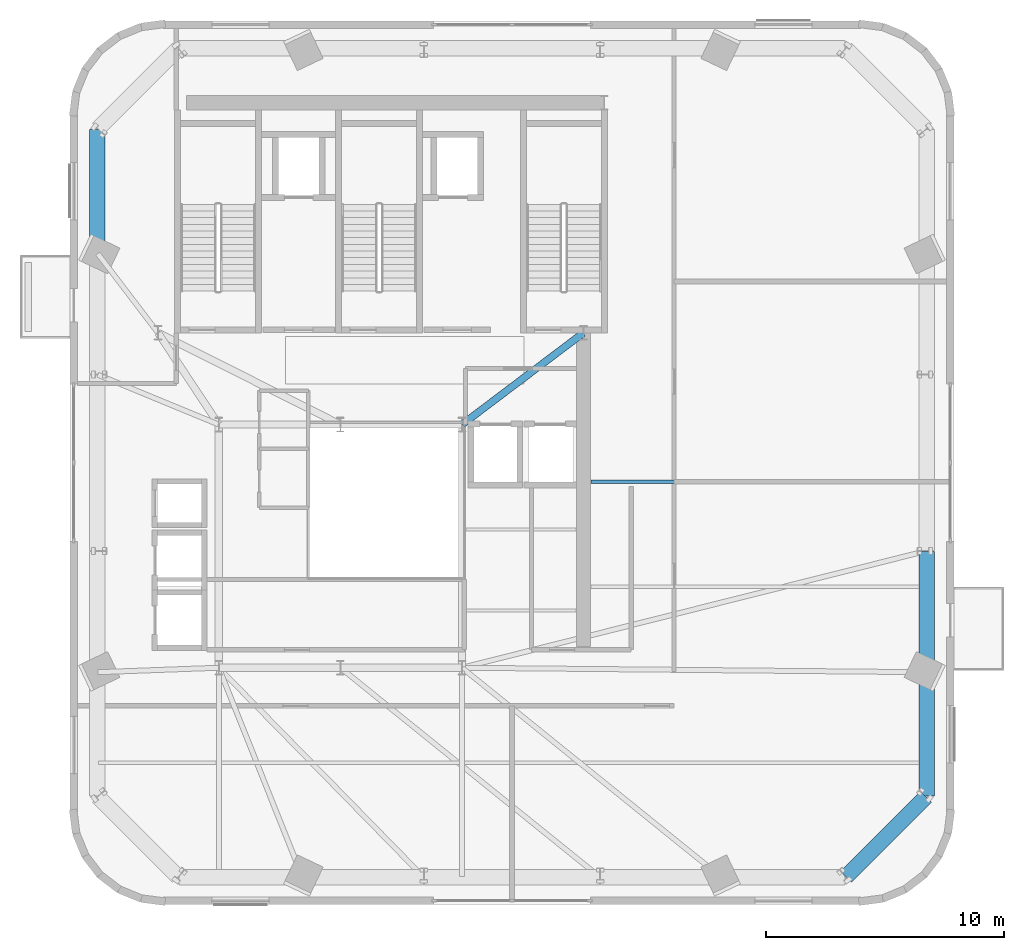
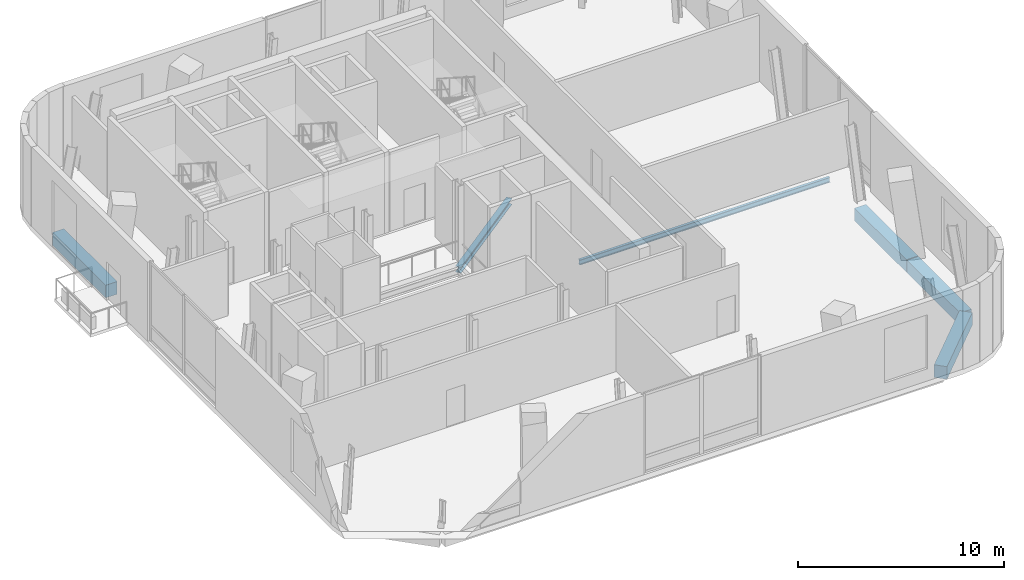
# One storey, part 3 of 10: 6 beams.
"""IFC4 building model written with IfcOpenShell, lengths in metres."""

from ifc_helpers import new_model, si_unit, direction, frame, origin, origin_2d, place, context, subcontext, project, spatial, rectangle, i_section, extrude, source, transform, mapped, material, material_profile, profile_set, type_object, element, save


model = new_model("IFC4")

# Units and contexts
model_context = context("Model", 3, precision=1e-05, world=origin(), true_north=direction((0.0, 1.0)))
body_context = subcontext(model_context, "Body", "Model", "MODEL_VIEW")
ifc_project = project(units=[si_unit("LENGTHUNIT", "METRE"), si_unit("AREAUNIT", "SQUARE_METRE"), si_unit("VOLUMEUNIT", "CUBIC_METRE"), si_unit("PLANEANGLEUNIT", "RADIAN"), si_unit("MASSUNIT", "GRAM", prefix="KILO")], contexts=[model_context])

# Site, building, storey
site_placement = place(None, origin())
site = spatial("IfcSite", under=ifc_project, at=site_placement, CompositionType="ELEMENT")
building_placement = place(site_placement, origin())
building = spatial("IfcBuilding", under=site, at=building_placement, Name="Vardaveli Station Tower", CompositionType="ELEMENT")
storey_placement = place(building_placement, frame((0.0, 0.0, 291.14990234375)))
storey = spatial("IfcBuildingStorey", under=building, at=storey_placement, Name="L74", CompositionType="ELEMENT", Elevation=291.14990234375)

# Beams
ifc_material_1 = material(Name="Structural steel S355J2", Category="steel")
ifc_material_profile_1 = material_profile(ifc_material_1, i_section(OverallWidth=0.300048828125, OverallDepth=0.360107421875, WebThickness=0.012451171875, FlangeThickness=0.0224609375, FilletRadius=0.027099609375, at=origin_2d()), Name="HEB 360")
ifc_profile_set_1 = profile_set([ifc_material_profile_1], Name="Structural steel S355J2")
beam_type_1 = type_object("IfcBeamType", Name="BM-HEB360", PredefinedType="BEAM", material=ifc_profile_set_1)
shared_shape_1 = source(origin(), body_context, "Body", "SweptSolid", [
    extrude(i_section(OverallWidth=0.300048828125, OverallDepth=0.360107421875, WebThickness=0.012451171875, FlangeThickness=0.0224609375, FilletRadius=0.027099609375, at=origin_2d()), origin(), (0.0, 0.0, 1.0), 6.35009765625),
])
beam_1_placement = place(storey_placement, frame((41.416015625, 26.81201171875, -0.47998046875), z_axis=(0.798118337722, 0.602500721154, 0.0), x_axis=(-0.602500721154, 0.798118337722, 0.0)))
element("IfcBeam", 1, at=beam_1_placement, inside=storey, type_object=beam_type_1, Name="CBM-L74-02", PredefinedType="BEAM", context=body_context, shape_type="MappedRepresentation", body=[
    mapped(shared_shape_1, transform((0.0, 0.0, 0.0), scale=1.0)),
])
ifc_material_2 = material(Name="Precast concrete C45/55", Category="concrete")
ifc_material_profile_2 = material_profile(ifc_material_2, rectangle(XDim=0.64990234375, YDim=0.75, at=origin_2d()), Name="LPB 650x750")
ifc_profile_set_2 = profile_set([ifc_material_profile_2], Name="Precast concrete C45/55")
beam_type_2 = type_object("IfcBeamType", Name="BM-LPB-750", PredefinedType="BEAM", material=ifc_profile_set_2)
shared_shape_2 = source(origin(), body_context, "Body", "SweptSolid", [
    extrude(rectangle(XDim=0.64990234375, YDim=0.75, at=origin_2d()), origin(), (0.0, 0.0, 1.0), 5.1689453125),
])
beam_2_placement = place(storey_placement, frame((60.889892578125, 11.222900390625, -0.6748046875), z_axis=(0.0, 1.0, 0.0), x_axis=(-1.0, 0.0, 0.0)))
element("IfcBeam", 2, at=beam_2_placement, inside=storey, type_object=beam_type_2, Name="RBM-L74-06", PredefinedType="BEAM", context=body_context, shape_type="MappedRepresentation", body=[
    mapped(shared_shape_2, transform((0.0, 0.0, 0.0), scale=1.0)),
])
shared_shape_3 = source(origin(), body_context, "Body", "SweptSolid", [
    extrude(rectangle(XDim=0.64990234375, YDim=0.75, at=origin_2d()), origin(), (0.0, 0.0, 1.0), 4.758544921875),
])
beam_3_placement = place(storey_placement, frame((57.51123046875, 7.82421875, -0.6748046875), z_axis=(0.707106781187, 0.707106781187, 0.0), x_axis=(-0.707106781187, 0.707106781187, 0.0)))
element("IfcBeam", 3, at=beam_3_placement, inside=storey, type_object=beam_type_2, Name="RBM-L74-05", PredefinedType="BEAM", context=body_context, shape_type="MappedRepresentation", body=[
    mapped(shared_shape_3, transform((0.0, 0.0, 0.0), scale=1.0)),
])
shared_shape_4 = source(origin(), body_context, "Body", "SweptSolid", [
    extrude(rectangle(XDim=0.64990234375, YDim=0.75, at=origin_2d()), origin(), (0.0, 0.0, 1.0), 5.048095703125),
])
beam_4_placement = place(storey_placement, frame((60.889892578125, 16.431884765625, -0.6748046875), z_axis=(0.0, 1.0, 0.0), x_axis=(-1.0, 0.0, 0.0)))
element("IfcBeam", 4, at=beam_4_placement, inside=storey, type_object=beam_type_2, Name="RBM-L74-07", PredefinedType="BEAM", context=body_context, shape_type="MappedRepresentation", body=[
    mapped(shared_shape_4, transform((0.0, 0.0, 0.0), scale=1.0)),
])
shared_shape_5 = source(origin(), body_context, "Body", "SweptSolid", [
    extrude(rectangle(XDim=0.64990234375, YDim=0.75, at=origin_2d()), origin(), (0.0, 0.0, 1.0), 5.168701171875),
])
beam_5_placement = place(storey_placement, frame((26.110107421875, 39.177001953125, -0.6748046875), z_axis=(0.0, -1.0, 0.0), x_axis=(1.0, 0.0, 0.0)))
element("IfcBeam", 5, at=beam_5_placement, inside=storey, type_object=beam_type_2, Name="RBM-L74-18", PredefinedType="BEAM", context=body_context, shape_type="MappedRepresentation", body=[
    mapped(shared_shape_5, transform((0.0, 0.0, 0.0), scale=1.0)),
])
ifc_material_profile_3 = material_profile(ifc_material_1, i_section(OverallWidth=0.14990234375, OverallDepth=0.300048828125, WebThickness=0.007080078125, FlangeThickness=0.0107421875, FilletRadius=0.014892578125, at=origin_2d()), Name="IPE 300")
ifc_profile_set_3 = profile_set([ifc_material_profile_3], Name="Structural steel S355J2")
beam_type_3 = type_object("IfcBeamType", Name="BM-IPE300", PredefinedType="JOIST", material=ifc_profile_set_3)
shared_shape_6 = source(origin(), body_context, "Body", "SweptSolid", [
    extrude(i_section(OverallWidth=0.14990234375, OverallDepth=0.300048828125, WebThickness=0.007080078125, FlangeThickness=0.0107421875, FilletRadius=0.014892578125, at=origin_2d()), origin(), (0.0, 0.0, 1.0), 14.045166015625),
])
beam_6_placement = place(storey_placement, frame((46.804931640625, 24.39990234375, -0.449951171875), z_axis=(1.0, 0.0, 0.0), x_axis=(0.0, 1.0, 0.0)))
element("IfcBeam", 6, at=beam_6_placement, inside=storey, type_object=beam_type_3, Name="SJ-L74-E07", PredefinedType="JOIST", context=body_context, shape_type="MappedRepresentation", body=[
    mapped(shared_shape_6, transform((0.0, 0.0, 0.0), scale=1.0)),
])

save(model, "model.ifc")
